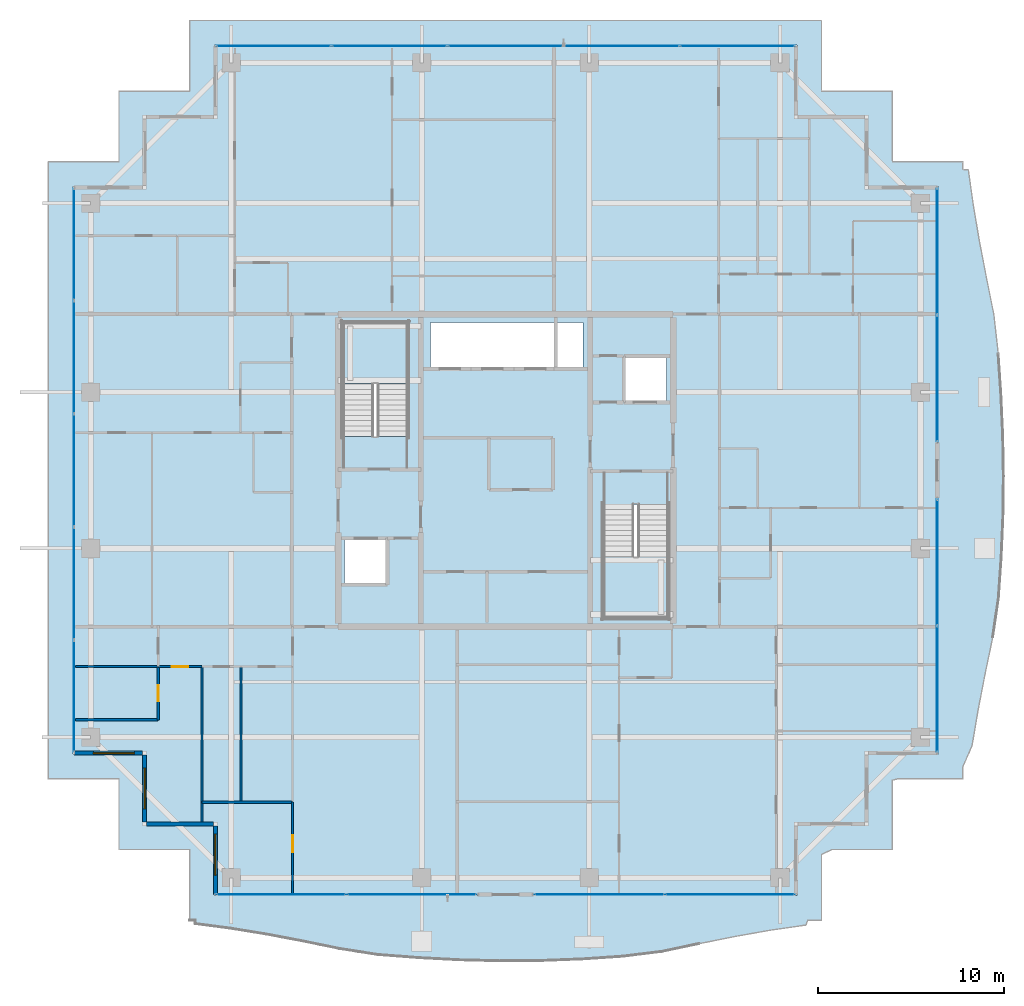
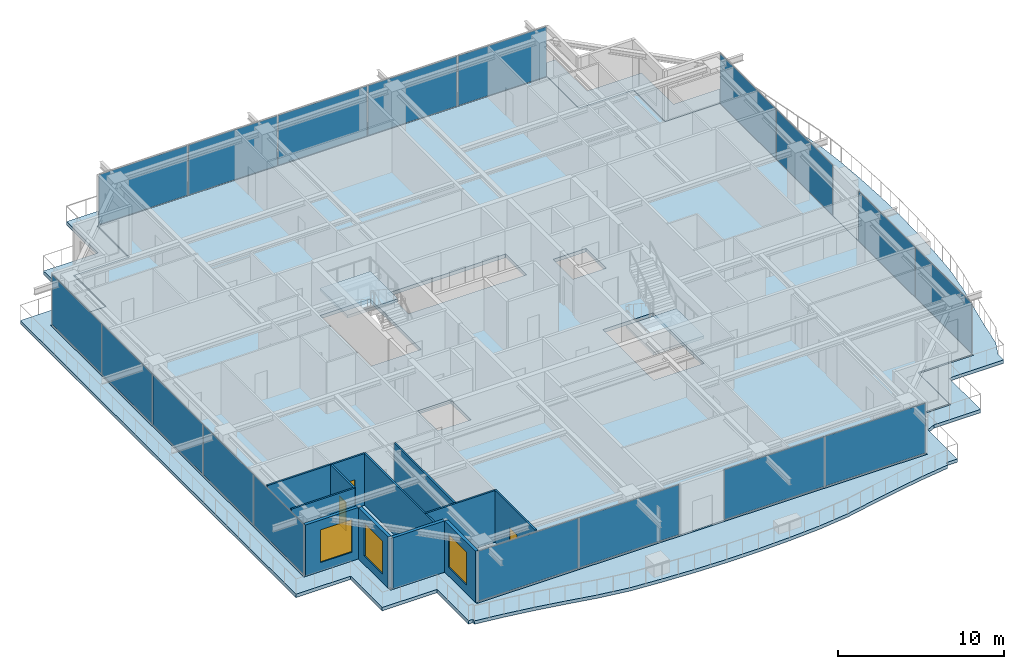
# One storey, part 29 of 41: 18 plates, 12 walls, 4 slabs, 3 doors, 3 windows, 6 openings, 8 elements without a shape of their own.
"""IFC4 building model written with IfcOpenShell, lengths in metres."""

from ifc_helpers import new_model, si_unit, direction, frame, frame_2d, origin, origin_2d, place, context, subcontext, project, spatial, polyline, rectangle, outline, extrude, source, transform, mapped, material, layer, layer_set, type_object, element, fill, aggregate, save


model = new_model("IFC4")

# Units and contexts
model_context = context("Model", 3, precision=1e-05, world=origin(), true_north=direction((0.0, 1.0)))
body_context = subcontext(model_context, "Body", "Model", "MODEL_VIEW")
ifc_project = project(units=[si_unit("LENGTHUNIT", "METRE"), si_unit("AREAUNIT", "SQUARE_METRE"), si_unit("VOLUMEUNIT", "CUBIC_METRE"), si_unit("PLANEANGLEUNIT", "RADIAN"), si_unit("MASSUNIT", "GRAM", prefix="KILO")], contexts=[model_context])

# Site, building, storey
site_placement = place(None, origin())
site = spatial("IfcSite", under=ifc_project, at=site_placement, CompositionType="ELEMENT")
building_placement = place(site_placement, origin())
building = spatial("IfcBuilding", under=site, at=building_placement, Name="Serunith Strait Residences", CompositionType="ELEMENT")
storey_placement = place(building_placement, frame((0.0, 0.0, 301.550048828125)))
storey = spatial("IfcBuildingStorey", under=building, at=storey_placement, Name="L75", CompositionType="ELEMENT", Elevation=301.550048828125)

# Slab
ifc_material_1 = material(Name="Concrete C50/60", Category="concrete")
ifc_layer_1 = layer(ifc_material_1, 0.239990234375, Name="Concrete C50/60")
ifc_layer_set_1 = layer_set([ifc_layer_1], Name="Concrete C50/60")
slab_type_1 = type_object("IfcSlabType", Name="SLB-BALC-240", PredefinedType="FLOOR", material=ifc_layer_set_1)
slab_1_placement = place(storey_placement, frame((0.0, 0.0, -0.2900390625)))
element("IfcSlab", 1, at=slab_1_placement, inside=storey, type_object=slab_type_1, Name="L75 Planted Vertical-Forest Balcony Slab", PredefinedType="FLOOR", context=body_context, shape_type="SweptSolid", body=[
    extrude(outline(polyline([(15.419921875, 1.02001953125), (15.419921875, 4.820068359375), (11.6201171875, 4.820068359375), (11.6201171875, 8.6201171875), (7.820068359375, 8.6201171875), (7.820068359375, 41.780029296875), (11.6201171875, 41.780029296875), (11.6201171875, 45.580078125), (15.407470703125, 45.580078125), (15.419921875, 45.584716796875), (15.419921875, 49.3798828125), (49.3798828125, 49.3798828125), (49.3798828125, 45.580078125), (53.179931640625, 45.580078125), (53.179931640625, 41.921142578125), (53.201171875, 41.780029296875), (56.97998046875, 41.780029296875), (56.97998046875, 41.367919921875), (57.2685546875, 41.350341796875), (57.53759765625, 39.4482421875), (57.862548828125, 37.52880859375), (58.2373046875, 35.57568359375), (58.64208984375, 33.5703125), (58.87841796875, 31.458251953125), (59.02587890625, 29.293212890625), (59.125, 27.1005859375), (59.163330078125, 24.892333984375), (59.134765625, 22.68408203125), (59.040771484375, 20.491943359375), (58.89111328125, 18.329833984375), (58.584228515625, 16.24609375), (58.17138671875, 14.25830078125), (57.794189453125, 12.3203125), (57.4716796875, 10.41259765625), (56.97998046875, 9.27587890625), (56.97998046875, 8.6201171875), (53.48193359375, 8.6201171875), (53.179931640625, 8.544677734375), (53.179931640625, 4.820068359375), (49.9423828125, 4.820068359375), (49.3798828125, 4.554931640625), (49.3798828125, 1.02001953125), (48.63330078125, 1.02001953125), (48.548583984375, 0.7626953125), (46.653076171875, 0.4873046875), (44.741455078125, 0.15087890625), (42.795654296875, -0.240478515625), (40.794677734375, -0.664794921875), (38.682861328125, -0.924560546875), (36.509521484375, -1.069580078125), (34.30712890625, -1.154296875), (32.091552734375, -1.16943359375), (29.880126953125, -1.1142578125), (27.689208984375, -0.996826171875), (25.530517578125, -0.83154296875), (23.455810546875, -0.50537109375), (21.47119140625, -0.09716796875), (19.533935546875, 0.26953125), (17.624267578125, 0.57958984375), (15.7265625, 0.831298828125), (15.72802734375, 1.02001953125), (15.419921875, 1.02001953125)]), holes=[polyline([(48.054931640625, 2.344970703125), (48.054931640625, 6.14501953125), (51.85498046875, 6.14501953125), (51.85498046875, 9.945068359375), (55.655029296875, 9.945068359375), (55.655029296875, 40.455078125), (51.85498046875, 40.455078125), (51.85498046875, 44.2548828125), (48.054931640625, 44.2548828125), (48.054931640625, 48.054931640625), (16.7451171875, 48.054931640625), (16.7451171875, 44.2548828125), (12.945068359375, 44.2548828125), (12.945068359375, 40.455078125), (9.14501953125, 40.455078125), (9.14501953125, 9.945068359375), (12.945068359375, 9.945068359375), (12.945068359375, 6.14501953125), (16.7451171875, 6.14501953125), (16.7451171875, 2.344970703125), (48.054931640625, 2.344970703125)])]), origin(), (0.0, 0.0, 1.0), 0.239990234375),
])

# Stair, slab
stair_type_1 = type_object("IfcStairType", Name="STR-CORE-1", PredefinedType="HALF_TURN_STAIR", material=ifc_material_1)
stair_1_placement = place(storey_placement, origin())
stair_1 = element("IfcStair", 2, at=stair_1_placement, inside=storey, type_object=stair_type_1, Name="L75 Protected Escape Stair ST-1", PredefinedType="HALF_TURN_STAIR")
ifc_layer_2 = layer(ifc_material_1, 0.199951171875, Name="Concrete C50/60")
ifc_layer_set_2 = layer_set([ifc_layer_2], Name="Concrete C50/60")
slab_type_2 = type_object("IfcSlabType", Name="SLB-LAND-200", PredefinedType="LANDING", material=ifc_layer_set_2)
slab_2_placement = place(storey_placement, frame((0.0, 0.0, 1.824951171875)))
slab_2 = element("IfcSlab", 3, at=slab_2_placement, type_object=slab_type_2, Name="ST-1 landing 1", PredefinedType="LANDING", context=body_context, shape_type="SweptSolid", body=[
    extrude(outline(polyline([(27.14990234375, 29.830078125), (27.14990234375, 33.14990234375), (23.64990234375, 33.14990234375), (23.64990234375, 29.830078125), (27.14990234375, 29.830078125)])), origin(), (0.0, 0.0, 1.0), 0.199951171875),
])
aggregate(stair_1, [slab_2])

stair_type_2 = type_object("IfcStairType", Name="STR-CORE-2", PredefinedType="HALF_TURN_STAIR", material=ifc_material_1)
stair_2_placement = place(storey_placement, origin())
stair_2 = element("IfcStair", 4, at=stair_2_placement, inside=storey, type_object=stair_type_2, Name="L75 Protected Escape Stair ST-2", PredefinedType="HALF_TURN_STAIR")
slab_3_placement = place(storey_placement, frame((0.0, 0.0, 1.824951171875)))
slab_3 = element("IfcSlab", 5, at=slab_3_placement, type_object=slab_type_2, Name="ST-2 landing 1", PredefinedType="LANDING", context=body_context, shape_type="SweptSolid", body=[
    extrude(outline(polyline([(37.64990234375, 20.570068359375), (37.64990234375, 17.25), (41.14990234375, 17.25), (41.14990234375, 20.570068359375), (37.64990234375, 20.570068359375)])), origin(), (0.0, 0.0, 1.0), 0.199951171875),
])
aggregate(stair_2, [slab_3])

# Slab
ifc_material_2 = material(Name="Concrete C60/75", Category="concrete")
ifc_layer_3 = layer(ifc_material_2, 0.260009765625, Name="Concrete C60/75")
ifc_layer_set_3 = layer_set([ifc_layer_3], Name="Concrete C60/75")
slab_type_3 = type_object("IfcSlabType", Name="SLB-TWR-290-Z4", PredefinedType="FLOOR", material=ifc_layer_set_3)
slab_4_placement = place(storey_placement, frame((0.0, 0.0, -0.260009765625)))
element("IfcSlab", 6, at=slab_4_placement, inside=storey, type_object=slab_type_3, Name="L75 Structural Floor Plate", PredefinedType="FLOOR", context=body_context, shape_type="SweptSolid", body=[
    extrude(outline(polyline([(16.800048828125, 6.199951171875), (13.0, 6.199951171875), (13.0, 10.0), (9.199951171875, 10.0), (9.199951171875, 40.39990234375), (13.0, 40.39990234375), (13.0, 44.199951171875), (16.800048828125, 44.199951171875), (16.800048828125, 48.0), (48.0, 48.0), (48.0, 44.199951171875), (51.800048828125, 44.199951171875), (51.800048828125, 40.39990234375), (55.60009765625, 40.39990234375), (55.60009765625, 10.0), (51.800048828125, 10.0), (51.800048828125, 6.199951171875), (48.0, 6.199951171875), (48.0, 2.39990234375), (16.800048828125, 2.39990234375), (16.800048828125, 6.199951171875)]), holes=[polyline([(41.14990234375, 23.3701171875), (37.64990234375, 23.3701171875), (37.64990234375, 17.25), (41.14990234375, 17.25), (41.14990234375, 23.3701171875)]), polyline([(38.75, 31.25), (38.75, 28.85009765625), (41.050048828125, 28.85009765625), (41.050048828125, 31.25), (38.75, 31.25)]), polyline([(36.550048828125, 33.14990234375), (28.35009765625, 33.14990234375), (28.35009765625, 30.64990234375), (36.550048828125, 30.64990234375), (36.550048828125, 33.14990234375)]), polyline([(23.64990234375, 33.14990234375), (23.64990234375, 27.030029296875), (27.14990234375, 27.030029296875), (27.14990234375, 33.14990234375), (23.64990234375, 33.14990234375)]), polyline([(23.75, 21.550048828125), (23.75, 19.14990234375), (26.050048828125, 19.14990234375), (26.050048828125, 21.550048828125), (23.75, 21.550048828125)])]), origin(), (0.0, 0.0, 1.0), 0.260009765625),
])

# Curtain wall, plates
ifc_material_3 = material(Name="Brushed Stainless-Silver Aluminium", Category="aluminium")
ifc_layer_4 = layer(ifc_material_3, 0.199951171875, Name="Brushed Stainless-Silver Aluminium")
ifc_layer_set_4 = layer_set([ifc_layer_4], Name="Brushed Stainless-Silver Aluminium")
curtain_wall_type = type_object("IfcCurtainWallType", Name="CW-SYS5", PredefinedType="NOTDEFINED", material=ifc_layer_set_4)
curtain_wall_1_placement = place(storey_placement, origin())
curtain_wall_1 = element("IfcCurtainWall", 7, at=curtain_wall_1_placement, inside=storey, type_object=curtain_wall_type, Name="L75 S Unitised Fritted Curtain Wall", PredefinedType="NOTDEFINED")
ifc_material_4 = material(Name="Triple-Silver Low-E Operable Glazing 34mm", Category="glass")
ifc_layer_5 = layer(ifc_material_4, 0.033935546875, Name="Triple-Silver Low-E Operable Glazing 34mm")
ifc_layer_set_5 = layer_set([ifc_layer_5], Name="Triple-Silver Low-E Operable Glazing 34mm")
plate_type = type_object("IfcPlateType", Name="CW-SYS5-PNL", PredefinedType="CURTAIN_PANEL", material=ifc_layer_set_5)
shared_shape_1 = source(origin(), body_context, "Body", "SweptSolid", [
    extrude(rectangle(XDim=6.952392578125, YDim=0.033935546875, at=origin_2d()), origin(), (0.0, 0.0, 1.0), 3.655029296875),
])
plate_1_placement = place(storey_placement, frame((20.34130859375, 2.39990234375, 0.06005859375), z_axis=(0.0, 0.0, 1.0), x_axis=(1.0, 0.0, 0.0)))
plate_1 = element("IfcPlate", 8, at=plate_1_placement, type_object=plate_type, Name="CW-5 panel 1.1", PredefinedType="CURTAIN_PANEL", context=body_context, shape_type="MappedRepresentation", body=[
    mapped(shared_shape_1, transform((0.0, 0.0, 0.0), scale=1.0)),
])
plate_2_placement = place(storey_placement, frame((27.358642578125, 2.39990234375, 0.06005859375), z_axis=(0.0, 0.0, 1.0), x_axis=(1.0, 0.0, 0.0)))
plate_2 = element("IfcPlate", 9, at=plate_2_placement, type_object=plate_type, Name="CW-5 panel 2.1", PredefinedType="CURTAIN_PANEL", context=body_context, shape_type="MappedRepresentation", body=[
    mapped(shared_shape_1, transform((0.0, 0.0, 0.0), scale=1.0)),
])
aggregate(curtain_wall_1, [plate_1, plate_2])

curtain_wall_2_placement = place(storey_placement, origin())
curtain_wall_2 = element("IfcCurtainWall", 10, at=curtain_wall_2_placement, inside=storey, type_object=curtain_wall_type, Name="L75 S Unitised Fritted Curtain Wall", PredefinedType="NOTDEFINED")
plate_3_placement = place(storey_placement, frame((37.441162109375, 2.39990234375, 0.06005859375), z_axis=(0.0, 0.0, 1.0), x_axis=(1.0, 0.0, 0.0)))
plate_3 = element("IfcPlate", 11, at=plate_3_placement, type_object=plate_type, Name="CW-5 panel 1.1", PredefinedType="CURTAIN_PANEL", context=body_context, shape_type="MappedRepresentation", body=[
    mapped(shared_shape_1, transform((0.0, 0.0, 0.0), scale=1.0)),
])
plate_4_placement = place(storey_placement, frame((44.458740234375, 2.39990234375, 0.06005859375), z_axis=(0.0, 0.0, 1.0), x_axis=(1.0, 0.0, 0.0)))
plate_4 = element("IfcPlate", 12, at=plate_4_placement, type_object=plate_type, Name="CW-5 panel 2.1", PredefinedType="CURTAIN_PANEL", context=body_context, shape_type="MappedRepresentation", body=[
    mapped(shared_shape_1, transform((0.0, 0.0, 0.0), scale=1.0)),
])
aggregate(curtain_wall_2, [plate_3, plate_4])

curtain_wall_3_placement = place(storey_placement, origin())
curtain_wall_3 = element("IfcCurtainWall", 13, at=curtain_wall_3_placement, inside=storey, type_object=curtain_wall_type, Name="L75 E Unitised Fritted Curtain Wall", PredefinedType="NOTDEFINED")
shared_shape_2 = source(origin(), body_context, "Body", "SweptSolid", [
    extrude(rectangle(XDim=6.75244140625, YDim=0.033935546875, at=origin_2d()), origin(), (0.0, 0.0, 1.0), 3.655029296875),
])
plate_5_placement = place(storey_placement, frame((55.60009765625, 13.441162109375, 0.06005859375), z_axis=(0.0, 0.0, 1.0), x_axis=(0.0, 1.0, 0.0)))
plate_5 = element("IfcPlate", 14, at=plate_5_placement, type_object=plate_type, Name="CW-5 panel 1.1", PredefinedType="CURTAIN_PANEL", context=body_context, shape_type="MappedRepresentation", body=[
    mapped(shared_shape_2, transform((0.0, 0.0, 0.0), scale=1.0)),
])
plate_6_placement = place(storey_placement, frame((55.60009765625, 20.2587890625, 0.06005859375), z_axis=(0.0, 0.0, 1.0), x_axis=(0.0, 1.0, 0.0)))
plate_6 = element("IfcPlate", 15, at=plate_6_placement, type_object=plate_type, Name="CW-5 panel 2.1", PredefinedType="CURTAIN_PANEL", context=body_context, shape_type="MappedRepresentation", body=[
    mapped(shared_shape_2, transform((0.0, 0.0, 0.0), scale=1.0)),
])
aggregate(curtain_wall_3, [plate_5, plate_6])

curtain_wall_4_placement = place(storey_placement, origin())
curtain_wall_4 = element("IfcCurtainWall", 16, at=curtain_wall_4_placement, inside=storey, type_object=curtain_wall_type, Name="L75 E Unitised Fritted Curtain Wall", PredefinedType="NOTDEFINED")
plate_7_placement = place(storey_placement, frame((55.60009765625, 30.141357421875, 0.06005859375), z_axis=(0.0, 0.0, 1.0), x_axis=(0.0, 1.0, 0.0)))
plate_7 = element("IfcPlate", 17, at=plate_7_placement, type_object=plate_type, Name="CW-5 panel 1.1", PredefinedType="CURTAIN_PANEL", context=body_context, shape_type="MappedRepresentation", body=[
    mapped(shared_shape_2, transform((0.0, 0.0, 0.0), scale=1.0)),
])
plate_8_placement = place(storey_placement, frame((55.60009765625, 36.958740234375, 0.06005859375), z_axis=(0.0, 0.0, 1.0), x_axis=(0.0, 1.0, 0.0)))
plate_8 = element("IfcPlate", 18, at=plate_8_placement, type_object=plate_type, Name="CW-5 panel 2.1", PredefinedType="CURTAIN_PANEL", context=body_context, shape_type="MappedRepresentation", body=[
    mapped(shared_shape_2, transform((0.0, 0.0, 0.0), scale=1.0)),
])
aggregate(curtain_wall_4, [plate_7, plate_8])

curtain_wall_5_placement = place(storey_placement, origin())
curtain_wall_5 = element("IfcCurtainWall", 19, at=curtain_wall_5_placement, inside=storey, type_object=curtain_wall_type, Name="L75 N Unitised Fritted Curtain Wall", PredefinedType="NOTDEFINED")
shared_shape_3 = source(origin(), body_context, "Body", "SweptSolid", [
    extrude(rectangle(XDim=6.142578125, YDim=0.033935546875, at=origin_2d()), origin(), (0.0, 0.0, 1.0), 3.655029296875),
])
plate_9_placement = place(storey_placement, frame((44.86376953125, 48.0, 0.06005859375), z_axis=(0.0, 0.0, 1.0), x_axis=(-1.0, 0.0, 0.0)))
plate_9 = element("IfcPlate", 20, at=plate_9_placement, type_object=plate_type, Name="CW-5 panel 1.1", PredefinedType="CURTAIN_PANEL", context=body_context, shape_type="MappedRepresentation", body=[
    mapped(shared_shape_3, transform((0.0, 0.0, 0.0), scale=1.0)),
])
plate_10_placement = place(storey_placement, frame((19.936279296875, 48.0, 0.06005859375), z_axis=(0.0, 0.0, 1.0), x_axis=(-1.0, 0.0, 0.0)))
plate_10 = element("IfcPlate", 21, at=plate_10_placement, type_object=plate_type, Name="CW-5 panel 5.1", PredefinedType="CURTAIN_PANEL", context=body_context, shape_type="MappedRepresentation", body=[
    mapped(shared_shape_3, transform((0.0, 0.0, 0.0), scale=1.0)),
])
shared_shape_4 = source(origin(), body_context, "Body", "SweptSolid", [
    extrude(rectangle(XDim=6.175048828125, YDim=0.033935546875, at=origin_2d()), origin(), (0.0, 0.0, 1.0), 3.655029296875),
])
plate_11_placement = place(storey_placement, frame((38.639892578125, 48.0, 0.06005859375), z_axis=(0.0, 0.0, 1.0), x_axis=(-1.0, 0.0, 0.0)))
plate_11 = element("IfcPlate", 22, at=plate_11_placement, type_object=plate_type, Name="CW-5 panel 2.1", PredefinedType="CURTAIN_PANEL", context=body_context, shape_type="MappedRepresentation", body=[
    mapped(shared_shape_4, transform((0.0, 0.0, 0.0), scale=1.0)),
])
plate_12_placement = place(storey_placement, frame((32.39990234375, 48.0, 0.06005859375), z_axis=(0.0, 0.0, 1.0), x_axis=(-1.0, 0.0, 0.0)))
plate_12 = element("IfcPlate", 23, at=plate_12_placement, type_object=plate_type, Name="CW-5 panel 3.1", PredefinedType="CURTAIN_PANEL", context=body_context, shape_type="MappedRepresentation", body=[
    mapped(shared_shape_4, transform((0.0, 0.0, 0.0), scale=1.0)),
])
plate_13_placement = place(storey_placement, frame((26.159912109375, 48.0, 0.06005859375), z_axis=(0.0, 0.0, 1.0), x_axis=(-1.0, 0.0, 0.0)))
plate_13 = element("IfcPlate", 24, at=plate_13_placement, type_object=plate_type, Name="CW-5 panel 4.1", PredefinedType="CURTAIN_PANEL", context=body_context, shape_type="MappedRepresentation", body=[
    mapped(shared_shape_4, transform((0.0, 0.0, 0.0), scale=1.0)),
])
aggregate(curtain_wall_5, [plate_9, plate_11, plate_12, plate_13, plate_10])

curtain_wall_6_placement = place(storey_placement, origin())
curtain_wall_6 = element("IfcCurtainWall", 25, at=curtain_wall_6_placement, inside=storey, type_object=curtain_wall_type, Name="L75 W Unitised Fritted Curtain Wall", PredefinedType="NOTDEFINED")
shared_shape_5 = source(origin(), body_context, "Body", "SweptSolid", [
    extrude(rectangle(XDim=5.982421875, YDim=0.033935546875, at=origin_2d()), origin(), (0.0, 0.0, 1.0), 3.655029296875),
])
plate_14_placement = place(storey_placement, frame((9.199951171875, 37.34375, 0.06005859375), z_axis=(0.0, 0.0, 1.0), x_axis=(0.0, -1.0, 0.0)))
plate_14 = element("IfcPlate", 26, at=plate_14_placement, type_object=plate_type, Name="CW-5 panel 1.1", PredefinedType="CURTAIN_PANEL", context=body_context, shape_type="MappedRepresentation", body=[
    mapped(shared_shape_5, transform((0.0, 0.0, 0.0), scale=1.0)),
])
plate_15_placement = place(storey_placement, frame((9.199951171875, 13.05615234375, 0.06005859375), z_axis=(0.0, 0.0, 1.0), x_axis=(0.0, -1.0, 0.0)))
plate_15 = element("IfcPlate", 27, at=plate_15_placement, type_object=plate_type, Name="CW-5 panel 5.1", PredefinedType="CURTAIN_PANEL", context=body_context, shape_type="MappedRepresentation", body=[
    mapped(shared_shape_5, transform((0.0, 0.0, 0.0), scale=1.0)),
])
shared_shape_6 = source(origin(), body_context, "Body", "SweptSolid", [
    extrude(rectangle(XDim=6.014892578125, YDim=0.033935546875, at=origin_2d()), origin(), (0.0, 0.0, 1.0), 3.655029296875),
])
plate_16_placement = place(storey_placement, frame((9.199951171875, 31.280029296875, 0.06005859375), z_axis=(0.0, 0.0, 1.0), x_axis=(0.0, -1.0, 0.0)))
plate_16 = element("IfcPlate", 28, at=plate_16_placement, type_object=plate_type, Name="CW-5 panel 2.1", PredefinedType="CURTAIN_PANEL", context=body_context, shape_type="MappedRepresentation", body=[
    mapped(shared_shape_6, transform((0.0, 0.0, 0.0), scale=1.0)),
])
plate_17_placement = place(storey_placement, frame((9.199951171875, 25.199951171875, 0.06005859375), z_axis=(0.0, 0.0, 1.0), x_axis=(0.0, -1.0, 0.0)))
plate_17 = element("IfcPlate", 29, at=plate_17_placement, type_object=plate_type, Name="CW-5 panel 3.1", PredefinedType="CURTAIN_PANEL", context=body_context, shape_type="MappedRepresentation", body=[
    mapped(shared_shape_6, transform((0.0, 0.0, 0.0), scale=1.0)),
])
plate_18_placement = place(storey_placement, frame((9.199951171875, 19.1201171875, 0.06005859375), z_axis=(0.0, 0.0, 1.0), x_axis=(0.0, -1.0, 0.0)))
plate_18 = element("IfcPlate", 30, at=plate_18_placement, type_object=plate_type, Name="CW-5 panel 4.1", PredefinedType="CURTAIN_PANEL", context=body_context, shape_type="MappedRepresentation", body=[
    mapped(shared_shape_6, transform((0.0, 0.0, 0.0), scale=1.0)),
])
aggregate(curtain_wall_6, [plate_14, plate_16, plate_17, plate_18, plate_15])

# Wall, opening, window
ifc_material_5 = material(Name="Pale-Champagne Aluminium Insulated Panel", Category="aluminium")
ifc_layer_6 = layer(ifc_material_5, 0.219970703125, Name="Pale-Champagne Aluminium Insulated Panel")
ifc_layer_set_6 = layer_set([ifc_layer_6], Name="Pale-Champagne Aluminium Insulated Panel")
wall_type_1 = type_object("IfcWallType", Name="EW-ALUM-220", PredefinedType="ELEMENTEDWALL", material=ifc_layer_set_6)
wall_1_placement = place(storey_placement, frame((9.199951171875, 10.0, 0.0), z_axis=(0.0, 0.0, 1.0), x_axis=(1.0, 0.0, 0.0)))
wall_1 = element("IfcWall", 31, at=wall_1_placement, inside=storey, type_object=wall_type_1, Name="L75 Girih Serrated Corner Wall 17", PredefinedType="ELEMENTEDWALL", context=body_context, shape_type="SweptSolid", body=[
    extrude(rectangle(XDim=3.68994140625, YDim=0.219970703125, at=frame_2d((1.844970703125, 0.0))), origin(), (0.0, 0.0, 1.0), 3.77490234375),
])
opening_1_placement = place(wall_1_placement, frame((1.04296875, 0.0, 0.64990234375)))
opening_1 = element("IfcOpeningElement", 32, at=opening_1_placement, cuts=wall_1, Name="Opening W-06", PredefinedType="OPENING", context=body_context, shape_type="SweptSolid", body=[
    extrude(rectangle(XDim=2.199951171875, YDim=2.39990234375, at=frame_2d((1.10009765625, 1.199951171875))), frame((0.0, 0.1201171875, 0.0), z_axis=(0.0, -1.0, 0.0), x_axis=(1.0, 0.0, 0.0)), (0.0, 0.0, 1.0), 0.239990234375),
])
ifc_material_6 = material(Name="Crown Penthouse Low-E Operable Window Glass", Category="glass")
window_type = type_object("IfcWindowType", Name="WIN-C6", PartitioningType="TRIPLE_PANEL_VERTICAL", PredefinedType="WINDOW", material=ifc_material_6)
shared_shape_7 = source(origin(), body_context, "Body", "SweptSolid", [
    extrude(rectangle(XDim=2.199951171875, YDim=2.39990234375, at=frame_2d((1.10009765625, 1.199951171875))), frame((0.0, 0.030029296875, 0.0), z_axis=(0.0, -1.0, 0.0), x_axis=(1.0, 0.0, 0.0)), (0.0, 0.0, 1.0), 0.06005859375),
])
window_1_placement = place(opening_1_placement, origin())
window_1 = element("IfcWindow", 33, at=window_1_placement, inside=storey, type_object=window_type, Name="L75 Corner Operable Fritted Window 17", OverallHeight=2.39990234375, OverallWidth=2.199951171875, PartitioningType="SINGLE_PANEL", PredefinedType="WINDOW", context=body_context, shape_type="MappedRepresentation", body=[
    mapped(shared_shape_7, transform((0.0, 0.0, 0.0), scale=1.0)),
])
fill(opening_1, window_1)

wall_2_placement = place(storey_placement, frame((13.0, 9.889892578125, 0.0), z_axis=(0.0, 0.0, 1.0), x_axis=(0.0, -1.0, 0.0)))
wall_2 = element("IfcWall", 34, at=wall_2_placement, inside=storey, type_object=wall_type_1, Name="L75 Girih Serrated Corner Wall 18", PredefinedType="ELEMENTEDWALL", context=body_context, shape_type="SweptSolid", body=[
    extrude(rectangle(XDim=3.579833984375, YDim=0.219970703125, at=frame_2d((1.7900390625, 0.0))), origin(), (0.0, 0.0, 1.0), 3.77490234375),
])
opening_2_placement = place(wall_2_placement, frame((0.68994140625, 0.0, 0.64990234375)))
opening_2 = element("IfcOpeningElement", 35, at=opening_2_placement, cuts=wall_2, Name="Opening W-06", PredefinedType="OPENING", context=body_context, shape_type="SweptSolid", body=[
    extrude(rectangle(XDim=2.199951171875, YDim=2.39990234375, at=frame_2d((1.10009765625, 1.199951171875))), frame((0.0, 0.1201171875, 0.0), z_axis=(0.0, -1.0, 0.0), x_axis=(1.0, 0.0, 0.0)), (0.0, 0.0, 1.0), 0.239990234375),
])
window_2_placement = place(opening_2_placement, origin())
window_2 = element("IfcWindow", 36, at=window_2_placement, inside=storey, type_object=window_type, Name="L75 Corner Operable Fritted Window 18", OverallHeight=2.39990234375, OverallWidth=2.199951171875, PartitioningType="SINGLE_PANEL", PredefinedType="WINDOW", context=body_context, shape_type="MappedRepresentation", body=[
    mapped(shared_shape_7, transform((0.0, 0.0, 0.0), scale=1.0)),
])
fill(opening_2, window_2)

# Wall
wall_3_placement = place(storey_placement, frame((13.110107421875, 6.199951171875, 0.0), z_axis=(0.0, 0.0, 1.0), x_axis=(1.0, 0.0, 0.0)))
element("IfcWall", 37, at=wall_3_placement, inside=storey, type_object=wall_type_1, Name="L75 Girih Serrated Corner Wall 19", PredefinedType="ELEMENTEDWALL", context=body_context, shape_type="SweptSolid", body=[
    extrude(rectangle(XDim=3.579833984375, YDim=0.219970703125, at=frame_2d((1.7900390625, 0.0))), origin(), (0.0, 0.0, 1.0), 3.77490234375),
])

# Wall, opening, window
wall_4_placement = place(storey_placement, frame((16.800048828125, 6.090087890625, 0.0), z_axis=(0.0, 0.0, 1.0), x_axis=(0.0, -1.0, 0.0)))
wall_4 = element("IfcWall", 38, at=wall_4_placement, inside=storey, type_object=wall_type_1, Name="L75 Girih Serrated Corner Wall 20", PredefinedType="ELEMENTEDWALL", context=body_context, shape_type="SweptSolid", body=[
    extrude(rectangle(XDim=3.690185546875, YDim=0.219970703125, at=frame_2d((1.84521484375, 0.0))), origin(), (0.0, 0.0, 1.0), 3.77490234375),
])
opening_3_placement = place(wall_4_placement, frame((0.447021484375, 0.0, 0.64990234375)))
opening_3 = element("IfcOpeningElement", 39, at=opening_3_placement, cuts=wall_4, Name="Opening W-06", PredefinedType="OPENING", context=body_context, shape_type="SweptSolid", body=[
    extrude(rectangle(XDim=2.199951171875, YDim=2.39990234375, at=frame_2d((1.10009765625, 1.199951171875))), frame((0.0, 0.1201171875, 0.0), z_axis=(0.0, -1.0, 0.0), x_axis=(1.0, 0.0, 0.0)), (0.0, 0.0, 1.0), 0.239990234375),
])
window_3_placement = place(opening_3_placement, origin())
window_3 = element("IfcWindow", 40, at=window_3_placement, inside=storey, type_object=window_type, Name="L75 Corner Operable Fritted Window 20", OverallHeight=2.39990234375, OverallWidth=2.199951171875, PartitioningType="SINGLE_PANEL", PredefinedType="WINDOW", context=body_context, shape_type="MappedRepresentation", body=[
    mapped(shared_shape_7, transform((0.0, 0.0, 0.0), scale=1.0)),
])
fill(opening_3, window_3)

# Wall, opening, door
ifc_material_7 = material(Name="Lightweight steel-stud gypsum partition", Category="steel")
ifc_layer_7 = layer(ifc_material_7, 0.1201171875, Name="Lightweight steel-stud gypsum partition")
ifc_layer_set_7 = layer_set([ifc_layer_7], Name="Lightweight steel-stud gypsum partition")
wall_type_2 = type_object("IfcWallType", Name="IW-PART-120", PredefinedType="PARTITIONING", material=ifc_layer_set_7)
wall_5_placement = place(storey_placement, frame((20.949951171875, 2.4951171875, 0.0), z_axis=(0.0, 0.0, 1.0), x_axis=(0.0, 1.0, 0.0)))
wall_5 = element("IfcWall", 41, at=wall_5_placement, inside=storey, type_object=wall_type_2, Name="L75 Partition Wall 032", PredefinedType="PARTITIONING", context=body_context, shape_type="SweptSolid", body=[
    extrude(rectangle(XDim=4.867919921875, YDim=0.1201171875, at=frame_2d((2.43408203125, 0.0))), origin(), (0.0, 0.0, 1.0), 3.7900390625),
])
opening_4_placement = place(wall_5_placement, frame((2.181884765625, 0.0, 0.0)))
opening_4 = element("IfcOpeningElement", 42, at=opening_4_placement, cuts=wall_5, Name="Opening D-RM900", PredefinedType="OPENING", context=body_context, shape_type="SweptSolid", body=[
    extrude(rectangle(XDim=0.89990234375, YDim=2.10009765625, at=frame_2d((0.449951171875, 1.050048828125))), frame((0.0, 0.070068359375, 0.0), z_axis=(0.0, -1.0, 0.0), x_axis=(1.0, 0.0, 0.0)), (0.0, 0.0, 1.0), 0.14013671875),
])
ifc_material_8 = material(Name="Engineered timber flush bedroom door", Category="wood")
door_type_1 = type_object("IfcDoorType", Name="ID-ROOM-900", OperationType="NOTDEFINED", PredefinedType="DOOR", material=ifc_material_8)
shared_shape_8 = source(origin(), body_context, "Body", "SweptSolid", [
    extrude(rectangle(XDim=0.89990234375, YDim=2.10009765625, at=frame_2d((0.449951171875, 1.050048828125))), frame((0.0, 0.02490234375, 0.0), z_axis=(0.0, -1.0, 0.0), x_axis=(1.0, 0.0, 0.0)), (0.0, 0.0, 1.0), 0.050048828125),
])
door_1_placement = place(opening_4_placement, origin())
door_1 = element("IfcDoor", 43, at=door_1_placement, inside=storey, type_object=door_type_1, Name="L75 Study 1 7501 Door", OperationType="SINGLE_SWING_LEFT", OverallHeight=2.10009765625, OverallWidth=0.89990234375, PredefinedType="DOOR", context=body_context, shape_type="MappedRepresentation", body=[
    mapped(shared_shape_8, transform((0.0, 0.0, 0.0), scale=1.0)),
])
fill(opening_4, door_1)

# Walls
wall_6_placement = place(storey_placement, frame((16.080078125, 7.363037109375, 0.0), z_axis=(0.0, 0.0, 1.0), x_axis=(1.0, 0.0, 0.0)))
element("IfcWall", 44, at=wall_6_placement, inside=storey, type_object=wall_type_2, Name="L75 Partition Wall 034", PredefinedType="PARTITIONING", context=body_context, shape_type="SweptSolid", body=[
    extrude(rectangle(XDim=4.869873046875, YDim=0.1201171875, at=frame_2d((2.43505859375, 0.0))), origin(), (0.0, 0.0, 1.0), 3.7900390625),
])
wall_7_placement = place(storey_placement, frame((16.080078125, 6.294921875, 0.0), z_axis=(0.0, 0.0, 1.0), x_axis=(0.0, 1.0, 0.0)))
element("IfcWall", 45, at=wall_7_placement, inside=storey, type_object=wall_type_2, Name="L75 Partition Wall 035", PredefinedType="PARTITIONING", context=body_context, shape_type="SweptSolid", body=[
    extrude(rectangle(XDim=8.35498046875, YDim=0.1201171875, at=frame_2d((4.177490234375, 0.0))), origin(), (0.0, 0.0, 1.0), 3.7900390625),
])
wall_8_placement = place(storey_placement, frame((18.179931640625, 7.363037109375, 0.0), z_axis=(0.0, 0.0, 1.0), x_axis=(0.0, 1.0, 0.0)))
element("IfcWall", 46, at=wall_8_placement, inside=storey, type_object=wall_type_2, Name="L75 Partition Wall 036", PredefinedType="PARTITIONING", context=body_context, shape_type="SweptSolid", body=[
    extrude(rectangle(XDim=7.286865234375, YDim=0.1201171875, at=frame_2d((3.6435546875, 0.0))), origin(), (0.0, 0.0, 1.0), 3.7900390625),
])

# Wall, opening, door
wall_9_placement = place(storey_placement, frame((13.72998046875, 14.64990234375, 0.0), z_axis=(0.0, 0.0, 1.0), x_axis=(1.0, 0.0, 0.0)))
wall_9 = element("IfcWall", 47, at=wall_9_placement, inside=storey, type_object=wall_type_2, Name="L75 Partition Wall 039", PredefinedType="PARTITIONING", context=body_context, shape_type="SweptSolid", body=[
    extrude(rectangle(XDim=2.347900390625, YDim=0.1201171875, at=frame_2d((1.173828125, 0.0))), origin(), (0.0, 0.0, 1.0), 3.7900390625),
])
opening_5_placement = place(wall_9_placement, frame((0.72412109375, 0.0, 0.0)))
opening_5 = element("IfcOpeningElement", 48, at=opening_5_placement, cuts=wall_9, Name="Opening D-RM900", PredefinedType="OPENING", context=body_context, shape_type="SweptSolid", body=[
    extrude(rectangle(XDim=0.89990234375, YDim=2.10009765625, at=frame_2d((0.449951171875, 1.050048828125))), frame((0.0, 0.070068359375, 0.0), z_axis=(0.0, -1.0, 0.0), x_axis=(1.0, 0.0, 0.0)), (0.0, 0.0, 1.0), 0.14013671875),
])
door_2_placement = place(opening_5_placement, origin())
door_2 = element("IfcDoor", 49, at=door_2_placement, inside=storey, type_object=door_type_1, Name="L75 Master Bedroom W 7501 Door", OperationType="SINGLE_SWING_RIGHT", OverallHeight=2.10009765625, OverallWidth=0.89990234375, PredefinedType="DOOR", context=body_context, shape_type="MappedRepresentation", body=[
    mapped(shared_shape_8, transform((0.0, 0.0, 0.0), scale=1.0)),
])
fill(opening_5, door_2)

# Walls
wall_10_placement = place(storey_placement, frame((9.294921875, 11.7939453125, 0.0), z_axis=(0.0, 0.0, 1.0), x_axis=(1.0, 0.0, 0.0)))
element("IfcWall", 50, at=wall_10_placement, inside=storey, type_object=wall_type_2, Name="L75 Partition Wall 040", PredefinedType="PARTITIONING", context=body_context, shape_type="SweptSolid", body=[
    extrude(rectangle(XDim=4.43505859375, YDim=0.1201171875, at=frame_2d((2.217529296875, 0.0))), origin(), (0.0, 0.0, 1.0), 3.7900390625),
])
wall_11_placement = place(storey_placement, frame((9.294921875, 14.64990234375, 0.0), z_axis=(0.0, 0.0, 1.0), x_axis=(1.0, 0.0, 0.0)))
element("IfcWall", 51, at=wall_11_placement, inside=storey, type_object=wall_type_2, Name="L75 Partition Wall 041", PredefinedType="PARTITIONING", context=body_context, shape_type="SweptSolid", body=[
    extrude(rectangle(XDim=4.43310546875, YDim=0.1201171875, at=frame_2d((2.216552734375, 0.0))), origin(), (0.0, 0.0, 1.0), 3.7900390625),
])

# Wall, opening, door
wall_12_placement = place(storey_placement, frame((13.72998046875, 11.7939453125, 0.0), z_axis=(0.0, 0.0, 1.0), x_axis=(0.0, 1.0, 0.0)))
wall_12 = element("IfcWall", 52, at=wall_12_placement, inside=storey, type_object=wall_type_2, Name="L75 Partition Wall 042", PredefinedType="PARTITIONING", context=body_context, shape_type="SweptSolid", body=[
    extrude(rectangle(XDim=2.85595703125, YDim=0.1201171875, at=frame_2d((1.427978515625, 0.0))), origin(), (0.0, 0.0, 1.0), 3.7900390625),
])
opening_6_placement = place(wall_12_placement, frame((1.0029296875, 0.0, 0.0)))
opening_6 = element("IfcOpeningElement", 53, at=opening_6_placement, cuts=wall_12, Name="Opening D-BTH850", PredefinedType="OPENING", context=body_context, shape_type="SweptSolid", body=[
    extrude(rectangle(XDim=0.85009765625, YDim=2.10009765625, at=frame_2d((0.425048828125, 1.050048828125))), frame((0.0, 0.070068359375, 0.0), z_axis=(0.0, -1.0, 0.0), x_axis=(1.0, 0.0, 0.0)), (0.0, 0.0, 1.0), 0.14013671875),
])
ifc_material_9 = material(Name="Moisture-resistant timber bathroom door", Category="wood")
door_type_2 = type_object("IfcDoorType", Name="ID-BATH-850", OperationType="NOTDEFINED", PredefinedType="DOOR", material=ifc_material_9)
shared_shape_9 = source(origin(), body_context, "Body", "SweptSolid", [
    extrude(rectangle(XDim=0.85009765625, YDim=2.10009765625, at=frame_2d((0.425048828125, 1.050048828125))), frame((0.0, 0.02490234375, 0.0), z_axis=(0.0, -1.0, 0.0), x_axis=(1.0, 0.0, 0.0)), (0.0, 0.0, 1.0), 0.050048828125),
])
door_3_placement = place(opening_6_placement, origin())
door_3 = element("IfcDoor", 54, at=door_3_placement, inside=storey, type_object=door_type_2, Name="L75 En-suite Bathroom W 7501 Door", OperationType="SINGLE_SWING_LEFT", OverallHeight=2.10009765625, OverallWidth=0.85009765625, PredefinedType="DOOR", context=body_context, shape_type="MappedRepresentation", body=[
    mapped(shared_shape_9, transform((0.0, 0.0, 0.0), scale=1.0)),
])
fill(opening_6, door_3)

save(model, "model.ifc")
